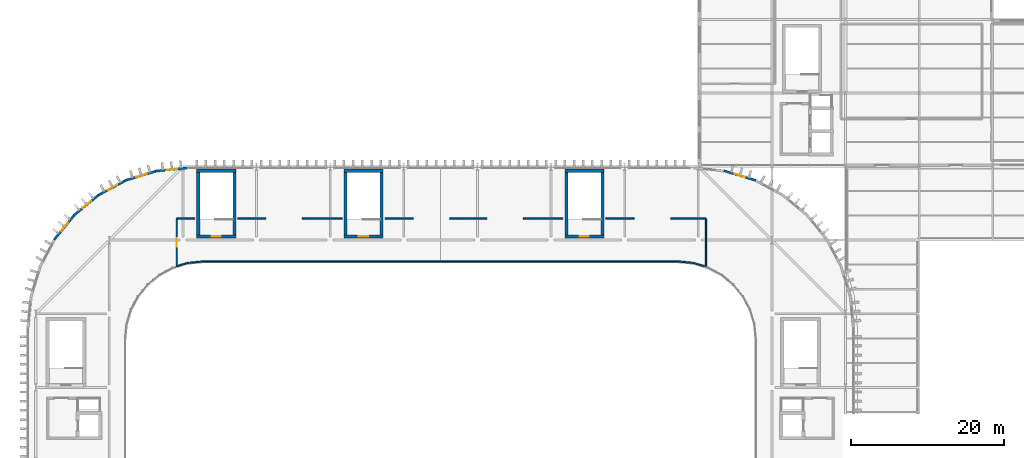
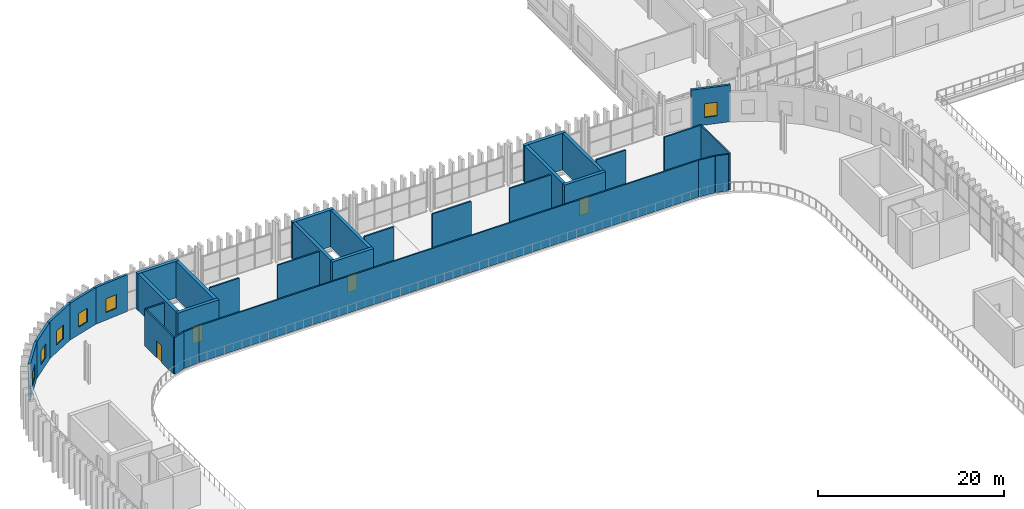
# One storey, part 34 of 45: 33 walls, 6 windows, 4 doors, 10 openings.
"""IFC4 building model written with IfcOpenShell, lengths in metres."""

from ifc_helpers import new_model, si_unit, direction, frame, frame_2d, origin, place, context, subcontext, project, spatial, rectangle, extrude, material, layer, layer_set, type_object, element, fill, save


model = new_model("IFC4")

# Units and contexts
model_context = context("Model", 3, precision=1e-05, world=origin(), true_north=direction((0.0, 1.0)))
body_context = subcontext(model_context, "Body", "Model", "MODEL_VIEW")
ifc_project = project(units=[si_unit("LENGTHUNIT", "METRE"), si_unit("AREAUNIT", "SQUARE_METRE"), si_unit("VOLUMEUNIT", "CUBIC_METRE"), si_unit("PLANEANGLEUNIT", "RADIAN"), si_unit("MASSUNIT", "GRAM", prefix="KILO")], contexts=[model_context])

# Site, building, storey
site_placement = place(None, origin())
site = spatial("IfcSite", under=ifc_project, at=site_placement, CompositionType="ELEMENT")
building_placement = place(site_placement, origin())
building = spatial("IfcBuilding", under=site, at=building_placement, Name="Caelomonte Colonnade Arena", CompositionType="ELEMENT")
storey_placement = place(building_placement, frame((0.0, 0.0, 23.10009765625)))
storey = spatial("IfcBuildingStorey", under=building, at=storey_placement, Name="L05", CompositionType="ELEMENT", Elevation=23.10009765625)

# Wall, opening, window
ifc_material_1 = material(Name="Precast concrete C40/50", Category="concrete")
ifc_layer_1 = layer(ifc_material_1, 0.2900390625)
ifc_layer_set_1 = layer_set([ifc_layer_1], Name="Precast concrete C40/50")
wall_type_1 = type_object("IfcWallType", Name="ENV-WL-EXT29", PredefinedType="SOLIDWALL", material=ifc_layer_set_1)
wall_1_placement = place(storey_placement, frame((151.4990234375, 113.394287109375, 0.0), z_axis=(0.0, 0.0, 1.0), x_axis=(-0.956928680947, 0.290323095156, 0.0)))
wall_1 = element("IfcWall", 1, at=wall_1_placement, inside=storey, type_object=wall_type_1, Name="L05 exterior wall EW-L05-0363", PredefinedType="SOLIDWALL", context=body_context, shape_type="SweptSolid", body=[
    extrude(rectangle(XDim=4.35693359375, YDim=0.2900390625, at=frame_2d((2.178466796875, 0.0))), origin(), (0.0, 0.0, 1.0), 4.81982421875),
])
opening_1_placement = place(wall_1_placement, frame((2.87841796875, 0.0, 1.0), z_axis=(0.0, 0.0, 1.0), x_axis=(-1.0, 0.0, 0.0)))
opening_1 = element("IfcOpeningElement", 2, at=opening_1_placement, cuts=wall_1, Name="Opening WN-09", PredefinedType="OPENING", context=body_context, shape_type="SweptSolid", body=[
    extrude(rectangle(XDim=1.39990234375, YDim=1.800048828125, at=frame_2d((0.699951171875, 0.89990234375))), frame((0.0, 0.155029296875, 0.0), z_axis=(0.0, -1.0, 0.0), x_axis=(1.0, 0.0, 0.0)), (0.0, 0.0, 1.0), 0.31005859375),
])
ifc_material_2 = material(Name="Solar-control bronze low-E double glazing", Category="glass")
window_type = type_object("IfcWindowType", Name="ENV-WN-V4F", PartitioningType="SINGLE_PANEL", PredefinedType="WINDOW", material=ifc_material_2)
window_1_placement = place(opening_1_placement, origin())
window_1 = element("IfcWindow", 3, at=window_1_placement, inside=storey, type_object=window_type, Name="L05 facade window 324", OverallHeight=1.800048828125, OverallWidth=1.39990234375, PartitioningType="SINGLE_PANEL", PredefinedType="WINDOW", context=body_context, shape_type="SweptSolid", body=[
    extrude(rectangle(XDim=1.39990234375, YDim=1.800048828125, at=frame_2d((0.699951171875, 0.89990234375))), frame((0.0, 0.030029296875, 0.0), z_axis=(0.0, -1.0, 0.0), x_axis=(1.0, 0.0, 0.0)), (0.0, 0.0, 1.0), 0.06005859375),
])
fill(opening_1, window_1)

wall_2_placement = place(storey_placement, frame((77.537109375, 115.03271484375, 0.0), z_axis=(0.0, 0.0, 1.0), x_axis=(-0.99518532156, -0.098011100141, 0.0)))
wall_2 = element("IfcWall", 4, at=wall_2_placement, inside=storey, type_object=wall_type_1, Name="L05 exterior wall EW-L05-0365", PredefinedType="SOLIDWALL", context=body_context, shape_type="SweptSolid", body=[
    extrude(rectangle(XDim=4.356689453125, YDim=0.2900390625, at=frame_2d((2.17822265625, 0.0))), origin(), (0.0, 0.0, 1.0), 4.81982421875),
])
opening_2_placement = place(wall_2_placement, frame((2.87841796875, 0.0, 1.0), z_axis=(0.0, 0.0, 1.0), x_axis=(-1.0, 0.0, 0.0)))
opening_2 = element("IfcOpeningElement", 5, at=opening_2_placement, cuts=wall_2, Name="Opening WN-09", PredefinedType="OPENING", context=body_context, shape_type="SweptSolid", body=[
    extrude(rectangle(XDim=1.39990234375, YDim=1.800048828125, at=frame_2d((0.699951171875, 0.89990234375))), frame((0.0, 0.155029296875, 0.0), z_axis=(0.0, -1.0, 0.0), x_axis=(1.0, 0.0, 0.0)), (0.0, 0.0, 1.0), 0.31005859375),
])
window_2_placement = place(opening_2_placement, origin())
window_2 = element("IfcWindow", 6, at=window_2_placement, inside=storey, type_object=window_type, Name="L05 facade window 326", OverallHeight=1.800048828125, OverallWidth=1.39990234375, PartitioningType="SINGLE_PANEL", PredefinedType="WINDOW", context=body_context, shape_type="SweptSolid", body=[
    extrude(rectangle(XDim=1.39990234375, YDim=1.800048828125, at=frame_2d((0.699951171875, 0.89990234375))), frame((0.0, 0.030029296875, 0.0), z_axis=(0.0, -1.0, 0.0), x_axis=(1.0, 0.0, 0.0)), (0.0, 0.0, 1.0), 0.06005859375),
])
fill(opening_2, window_2)

wall_3_placement = place(storey_placement, frame((73.47021484375, 114.6591796875, 0.0), z_axis=(0.0, 0.0, 1.0), x_axis=(-0.956928680947, -0.290323095156, 0.0)))
wall_3 = element("IfcWall", 7, at=wall_3_placement, inside=storey, type_object=wall_type_1, Name="L05 exterior wall EW-L05-0366", PredefinedType="SOLIDWALL", context=body_context, shape_type="SweptSolid", body=[
    extrude(rectangle(XDim=4.35693359375, YDim=0.2900390625, at=frame_2d((2.178466796875, 0.0))), origin(), (0.0, 0.0, 1.0), 4.81982421875),
])
opening_3_placement = place(wall_3_placement, frame((2.87841796875, 0.0, 1.0), z_axis=(0.0, 0.0, 1.0), x_axis=(-1.0, 0.0, 0.0)))
opening_3 = element("IfcOpeningElement", 8, at=opening_3_placement, cuts=wall_3, Name="Opening WN-09", PredefinedType="OPENING", context=body_context, shape_type="SweptSolid", body=[
    extrude(rectangle(XDim=1.39990234375, YDim=1.800048828125, at=frame_2d((0.699951171875, 0.89990234375))), frame((0.0, 0.155029296875, 0.0), z_axis=(0.0, -1.0, 0.0), x_axis=(1.0, 0.0, 0.0)), (0.0, 0.0, 1.0), 0.31005859375),
])
window_3_placement = place(opening_3_placement, origin())
window_3 = element("IfcWindow", 9, at=window_3_placement, inside=storey, type_object=window_type, Name="L05 facade window 327", OverallHeight=1.800048828125, OverallWidth=1.39990234375, PartitioningType="SINGLE_PANEL", PredefinedType="WINDOW", context=body_context, shape_type="SweptSolid", body=[
    extrude(rectangle(XDim=1.39990234375, YDim=1.800048828125, at=frame_2d((0.699951171875, 0.89990234375))), frame((0.0, 0.030029296875, 0.0), z_axis=(0.0, -1.0, 0.0), x_axis=(1.0, 0.0, 0.0)), (0.0, 0.0, 1.0), 0.06005859375),
])
fill(opening_3, window_3)

wall_4_placement = place(storey_placement, frame((69.55419921875, 113.499267578125, 0.0), z_axis=(0.0, 0.0, 1.0), x_axis=(-0.881924438709, -0.471390797968, 0.0)))
wall_4 = element("IfcWall", 10, at=wall_4_placement, inside=storey, type_object=wall_type_1, Name="L05 exterior wall EW-L05-0367", PredefinedType="SOLIDWALL", context=body_context, shape_type="SweptSolid", body=[
    extrude(rectangle(XDim=4.356689453125, YDim=0.2900390625, at=frame_2d((2.17822265625, 0.0))), origin(), (0.0, 0.0, 1.0), 4.81982421875),
])
opening_4_placement = place(wall_4_placement, frame((2.87841796875, 0.0, 1.0), z_axis=(0.0, 0.0, 1.0), x_axis=(-1.0, 0.0, 0.0)))
opening_4 = element("IfcOpeningElement", 11, at=opening_4_placement, cuts=wall_4, Name="Opening WN-09", PredefinedType="OPENING", context=body_context, shape_type="SweptSolid", body=[
    extrude(rectangle(XDim=1.39990234375, YDim=1.800048828125, at=frame_2d((0.699951171875, 0.89990234375))), frame((0.0, 0.155029296875, 0.0), z_axis=(0.0, -1.0, 0.0), x_axis=(1.0, 0.0, 0.0)), (0.0, 0.0, 1.0), 0.31005859375),
])
window_4_placement = place(opening_4_placement, origin())
window_4 = element("IfcWindow", 12, at=window_4_placement, inside=storey, type_object=window_type, Name="L05 facade window 328", OverallHeight=1.800048828125, OverallWidth=1.39990234375, PartitioningType="SINGLE_PANEL", PredefinedType="WINDOW", context=body_context, shape_type="SweptSolid", body=[
    extrude(rectangle(XDim=1.39990234375, YDim=1.800048828125, at=frame_2d((0.699951171875, 0.89990234375))), frame((0.0, 0.030029296875, 0.0), z_axis=(0.0, -1.0, 0.0), x_axis=(1.0, 0.0, 0.0)), (0.0, 0.0, 1.0), 0.06005859375),
])
fill(opening_4, window_4)

wall_5_placement = place(storey_placement, frame((65.93994140625, 111.597900390625, 0.0), z_axis=(0.0, 0.0, 1.0), x_axis=(-0.772995152907, -0.634411927364, 0.0)))
wall_5 = element("IfcWall", 13, at=wall_5_placement, inside=storey, type_object=wall_type_1, Name="L05 exterior wall EW-L05-0368", PredefinedType="SOLIDWALL", context=body_context, shape_type="SweptSolid", body=[
    extrude(rectangle(XDim=4.356689453125, YDim=0.2900390625, at=frame_2d((2.17822265625, 0.0))), origin(), (0.0, 0.0, 1.0), 4.81982421875),
])
opening_5_placement = place(wall_5_placement, frame((2.87841796875, 0.0, 1.0), z_axis=(0.0, 0.0, 1.0), x_axis=(-1.0, 0.0, 0.0)))
opening_5 = element("IfcOpeningElement", 14, at=opening_5_placement, cuts=wall_5, Name="Opening WN-09", PredefinedType="OPENING", context=body_context, shape_type="SweptSolid", body=[
    extrude(rectangle(XDim=1.39990234375, YDim=1.800048828125, at=frame_2d((0.699951171875, 0.89990234375))), frame((0.0, 0.155029296875, 0.0), z_axis=(0.0, -1.0, 0.0), x_axis=(1.0, 0.0, 0.0)), (0.0, 0.0, 1.0), 0.31005859375),
])
window_5_placement = place(opening_5_placement, origin())
window_5 = element("IfcWindow", 15, at=window_5_placement, inside=storey, type_object=window_type, Name="L05 facade window 329", OverallHeight=1.800048828125, OverallWidth=1.39990234375, PartitioningType="SINGLE_PANEL", PredefinedType="WINDOW", context=body_context, shape_type="SweptSolid", body=[
    extrude(rectangle(XDim=1.39990234375, YDim=1.800048828125, at=frame_2d((0.699951171875, 0.89990234375))), frame((0.0, 0.030029296875, 0.0), z_axis=(0.0, -1.0, 0.0), x_axis=(1.0, 0.0, 0.0)), (0.0, 0.0, 1.0), 0.06005859375),
])
fill(opening_5, window_5)

wall_6_placement = place(storey_placement, frame((62.76611328125, 109.02783203125, 0.0), z_axis=(0.0, 0.0, 1.0), x_axis=(-0.634384447019, -0.773017705735, 0.0)))
wall_6 = element("IfcWall", 16, at=wall_6_placement, inside=storey, type_object=wall_type_1, Name="L05 exterior wall EW-L05-0369", PredefinedType="SOLIDWALL", context=body_context, shape_type="SweptSolid", body=[
    extrude(rectangle(XDim=4.35693359375, YDim=0.2900390625, at=frame_2d((2.178466796875, 0.0))), origin(), (0.0, 0.0, 1.0), 4.81982421875),
])
opening_6_placement = place(wall_6_placement, frame((2.87841796875, 0.0, 1.0), z_axis=(0.0, 0.0, 1.0), x_axis=(-1.0, 0.0, 0.0)))
opening_6 = element("IfcOpeningElement", 17, at=opening_6_placement, cuts=wall_6, Name="Opening WN-09", PredefinedType="OPENING", context=body_context, shape_type="SweptSolid", body=[
    extrude(rectangle(XDim=1.39990234375, YDim=1.800048828125, at=frame_2d((0.699951171875, 0.89990234375))), frame((0.0, 0.155029296875, 0.0), z_axis=(0.0, -1.0, 0.0), x_axis=(1.0, 0.0, 0.0)), (0.0, 0.0, 1.0), 0.31005859375),
])
window_6_placement = place(opening_6_placement, origin())
window_6 = element("IfcWindow", 18, at=window_6_placement, inside=storey, type_object=window_type, Name="L05 facade window 330", OverallHeight=1.800048828125, OverallWidth=1.39990234375, PartitioningType="SINGLE_PANEL", PredefinedType="WINDOW", context=body_context, shape_type="SweptSolid", body=[
    extrude(rectangle(XDim=1.39990234375, YDim=1.800048828125, at=frame_2d((0.699951171875, 0.89990234375))), frame((0.0, 0.030029296875, 0.0), z_axis=(0.0, -1.0, 0.0), x_axis=(1.0, 0.0, 0.0)), (0.0, 0.0, 1.0), 0.06005859375),
])
fill(opening_6, window_6)

# Walls
ifc_material_3 = material(Name="Acoustic gypsum stud partition")
ifc_layer_2 = layer(ifc_material_3, 0.179931640625)
ifc_layer_set_2 = layer_set([ifc_layer_2], Name="Acoustic gypsum stud partition")
wall_type_2 = type_object("IfcWallType", Name="INT-WL-PT18", PredefinedType="PARTITIONING", material=ifc_layer_set_2)
wall_7_placement = place(storey_placement, frame((143.37255859375, 102.626708984375, 0.0), z_axis=(0.0, 0.0, 1.0), x_axis=(-0.995185270943, 0.098011614095, 0.0)))
element("IfcWall", 19, at=wall_7_placement, inside=storey, type_object=wall_type_2, Name="L05 Press Tribune Gallery partition 270", PredefinedType="PARTITIONING", context=body_context, shape_type="SweptSolid", body=[
    extrude(rectangle(XDim=1.96044921875, YDim=0.179931640625, at=frame_2d((0.980224609375, 0.0))), origin(), (0.0, 0.0, 1.0), 4.81982421875),
])
wall_8_placement = place(storey_placement, frame((141.39990234375, 102.820068359375, 0.0), z_axis=(0.0, 0.0, 1.0), x_axis=(-1.0, 0.0, 0.0)))
element("IfcWall", 20, at=wall_8_placement, inside=storey, type_object=wall_type_2, Name="L05 Press Tribune Gallery partition 271", PredefinedType="PARTITIONING", context=body_context, shape_type="SweptSolid", body=[
    extrude(rectangle(XDim=62.0, YDim=0.179931640625, at=frame_2d((31.0, 0.0))), origin(), (0.0, 0.0, 1.0), 4.81982421875),
])
wall_9_placement = place(storey_placement, frame((79.37841796875, 102.81884765625, 0.0), z_axis=(0.0, 0.0, 1.0), x_axis=(-0.995185270943, -0.098011614095, 0.0)))
element("IfcWall", 21, at=wall_9_placement, inside=storey, type_object=wall_type_2, Name="L05 Press Tribune Gallery partition 272", PredefinedType="PARTITIONING", context=body_context, shape_type="SweptSolid", body=[
    extrude(rectangle(XDim=1.96044921875, YDim=0.179931640625, at=frame_2d((0.980224609375, 0.0))), origin(), (0.0, 0.0, 1.0), 4.81982421875),
])
wall_10_placement = place(storey_placement, frame((77.38525390625, 102.618408203125, 0.0), z_axis=(0.0, 0.0, 1.0), x_axis=(-0.956921766266, -0.290345885534, 0.0)))
element("IfcWall", 22, at=wall_10_placement, inside=storey, type_object=wall_type_2, Name="L05 Press Tribune Gallery partition 273", PredefinedType="PARTITIONING", context=body_context, shape_type="SweptSolid", body=[
    extrude(rectangle(XDim=1.441162109375, YDim=0.179931640625, at=frame_2d((0.720703125, 0.0))), origin(), (0.0, 0.0, 1.0), 4.81982421875),
])

# Wall, opening, door
wall_11_placement = place(storey_placement, frame((76.0, 102.199951171875, 0.0), z_axis=(0.0, 0.0, 1.0), x_axis=(0.0, 1.0, 0.0)))
wall_11 = element("IfcWall", 23, at=wall_11_placement, inside=storey, type_object=wall_type_2, Name="L05 Press Tribune Gallery partition 274", PredefinedType="PARTITIONING", context=body_context, shape_type="SweptSolid", body=[
    extrude(rectangle(XDim=6.199951171875, YDim=0.179931640625, at=frame_2d((3.10009765625, 0.0))), origin(), (0.0, 0.0, 1.0), 4.81982421875),
])
opening_7_placement = place(wall_11_placement, frame((2.56005859375, 0.0, 0.0), z_axis=(0.0, 0.0, 1.0), x_axis=(1.0, 0.0, 0.0)))
opening_7 = element("IfcOpeningElement", 24, at=opening_7_placement, cuts=wall_11, Name="Opening D-L05-072", PredefinedType="OPENING", context=body_context, shape_type="SweptSolid", body=[
    extrude(rectangle(XDim=1.080078125, YDim=2.219970703125, at=frame_2d((0.5400390625, 1.10986328125))), frame((0.0, 0.099853515625, 0.0), z_axis=(0.0, -1.0, 0.0), x_axis=(1.0, 0.0, 0.0)), (0.0, 0.0, 1.0), 0.199951171875),
])
ifc_material_4 = material(Name="Acoustic broadcast studio door")
door_type_1 = type_object("IfcDoorType", Name="INT-DR-MED", OperationType="NOTDEFINED", PredefinedType="DOOR", material=ifc_material_4)
door_1_placement = place(opening_7_placement, origin())
door_1 = element("IfcDoor", 25, at=door_1_placement, inside=storey, type_object=door_type_1, Name="L05 Press Tribune Gallery door D-L05-072", OperationType="SINGLE_SWING_RIGHT", OverallHeight=2.219970703125, OverallWidth=1.080078125, PredefinedType="DOOR", context=body_context, shape_type="SweptSolid", body=[
    extrude(rectangle(XDim=1.080078125, YDim=2.219970703125, at=frame_2d((0.5400390625, 1.10986328125))), frame((0.0, 0.02490234375, 0.0), z_axis=(0.0, -1.0, 0.0), x_axis=(1.0, 0.0, 0.0)), (0.0, 0.0, 1.0), 0.050048828125),
])
fill(opening_7, door_1)

# Walls
wall_12_placement = place(storey_placement, frame((76.0, 108.39990234375, 0.0), z_axis=(0.0, 0.0, 1.0), x_axis=(1.0, 0.0, 0.0)))
element("IfcWall", 26, at=wall_12_placement, inside=storey, type_object=wall_type_2, Name="L05 Press Tribune Gallery partition 275", PredefinedType="PARTITIONING", context=body_context, shape_type="SweptSolid", body=[
    extrude(rectangle(XDim=2.35009765625, YDim=0.179931640625, at=frame_2d((1.175048828125, 0.0))), origin(), (0.0, 0.0, 1.0), 4.81982421875),
])
wall_13_placement = place(storey_placement, frame((83.949951171875, 108.39990234375, 0.0), z_axis=(0.0, 0.0, 1.0), x_axis=(1.0, 0.0, 0.0)))
element("IfcWall", 27, at=wall_13_placement, inside=storey, type_object=wall_type_2, Name="L05 Press Tribune Gallery partition 276", PredefinedType="PARTITIONING", context=body_context, shape_type="SweptSolid", body=[
    extrude(rectangle(XDim=3.670166015625, YDim=0.179931640625, at=frame_2d((1.8349609375, 0.0))), origin(), (0.0, 0.0, 1.0), 4.81982421875),
])
wall_14_placement = place(storey_placement, frame((92.3798828125, 108.39990234375, 0.0), z_axis=(0.0, 0.0, 1.0), x_axis=(1.0, 0.0, 0.0)))
element("IfcWall", 28, at=wall_14_placement, inside=storey, type_object=wall_type_2, Name="L05 Press Tribune Gallery partition 277", PredefinedType="PARTITIONING", context=body_context, shape_type="SweptSolid", body=[
    extrude(rectangle(XDim=5.170166015625, YDim=0.179931640625, at=frame_2d((2.5849609375, 0.0))), origin(), (0.0, 0.0, 1.0), 4.81982421875),
])
wall_15_placement = place(storey_placement, frame((103.14990234375, 108.39990234375, 0.0), z_axis=(0.0, 0.0, 1.0), x_axis=(1.0, 0.0, 0.0)))
element("IfcWall", 29, at=wall_15_placement, inside=storey, type_object=wall_type_2, Name="L05 Press Tribune Gallery partition 278", PredefinedType="PARTITIONING", context=body_context, shape_type="SweptSolid", body=[
    extrude(rectangle(XDim=3.670166015625, YDim=0.179931640625, at=frame_2d((1.8349609375, 0.0))), origin(), (0.0, 0.0, 1.0), 4.81982421875),
])
wall_16_placement = place(storey_placement, frame((111.580078125, 108.39990234375, 0.0), z_axis=(0.0, 0.0, 1.0), x_axis=(1.0, 0.0, 0.0)))
element("IfcWall", 30, at=wall_16_placement, inside=storey, type_object=wall_type_2, Name="L05 Press Tribune Gallery partition 279", PredefinedType="PARTITIONING", context=body_context, shape_type="SweptSolid", body=[
    extrude(rectangle(XDim=4.83984375, YDim=0.179931640625, at=frame_2d((2.419921875, 0.0))), origin(), (0.0, 0.0, 1.0), 4.81982421875),
])
wall_17_placement = place(storey_placement, frame((121.179931640625, 108.39990234375, 0.0), z_axis=(0.0, 0.0, 1.0), x_axis=(1.0, 0.0, 0.0)))
element("IfcWall", 31, at=wall_17_placement, inside=storey, type_object=wall_type_2, Name="L05 Press Tribune Gallery partition 280", PredefinedType="PARTITIONING", context=body_context, shape_type="SweptSolid", body=[
    extrude(rectangle(XDim=5.170166015625, YDim=0.179931640625, at=frame_2d((2.5849609375, 0.0))), origin(), (0.0, 0.0, 1.0), 4.81982421875),
])
wall_18_placement = place(storey_placement, frame((131.949951171875, 108.39990234375, 0.0), z_axis=(0.0, 0.0, 1.0), x_axis=(1.0, 0.0, 0.0)))
element("IfcWall", 32, at=wall_18_placement, inside=storey, type_object=wall_type_2, Name="L05 Press Tribune Gallery partition 281", PredefinedType="PARTITIONING", context=body_context, shape_type="SweptSolid", body=[
    extrude(rectangle(XDim=3.670166015625, YDim=0.179931640625, at=frame_2d((1.8349609375, 0.0))), origin(), (0.0, 0.0, 1.0), 4.81982421875),
])
wall_19_placement = place(storey_placement, frame((140.3798828125, 108.39990234375, 0.0), z_axis=(0.0, 0.0, 1.0), x_axis=(1.0, 0.0, 0.0)))
element("IfcWall", 33, at=wall_19_placement, inside=storey, type_object=wall_type_2, Name="L05 Press Tribune Gallery partition 282", PredefinedType="PARTITIONING", context=body_context, shape_type="SweptSolid", body=[
    extrude(rectangle(XDim=4.6201171875, YDim=0.179931640625, at=frame_2d((2.31005859375, 0.0))), origin(), (0.0, 0.0, 1.0), 4.81982421875),
])
wall_20_placement = place(storey_placement, frame((145.0, 108.39990234375, 0.0), z_axis=(0.0, 0.0, 1.0), x_axis=(0.0, -1.0, 0.0)))
element("IfcWall", 34, at=wall_20_placement, inside=storey, type_object=wall_type_2, Name="L05 Press Tribune Gallery partition 283", PredefinedType="PARTITIONING", context=body_context, shape_type="SweptSolid", body=[
    extrude(rectangle(XDim=6.199951171875, YDim=0.179931640625, at=frame_2d((3.10009765625, 0.0))), origin(), (0.0, 0.0, 1.0), 4.81982421875),
])
wall_21_placement = place(storey_placement, frame((144.7939453125, 102.199951171875, 0.0), z_axis=(0.0, 0.0, 1.0), x_axis=(-0.956921766266, 0.290345885534, 0.0)))
element("IfcWall", 35, at=wall_21_placement, inside=storey, type_object=wall_type_2, Name="L05 Press Tribune Gallery partition 284", PredefinedType="PARTITIONING", context=body_context, shape_type="SweptSolid", body=[
    extrude(rectangle(XDim=1.441162109375, YDim=0.179931640625, at=frame_2d((0.720703125, 0.0))), origin(), (0.0, 0.0, 1.0), 4.81982421875),
])

# Wall, opening, door
ifc_material_5 = material(Name="Concrete C50/60", Category="concrete")
ifc_layer_3 = layer(ifc_material_5, 0.39990234375)
ifc_layer_set_3 = layer_set([ifc_layer_3], Name="Concrete C50/60")
wall_type_3 = type_object("IfcWallType", Name="INT-WL-SH40", PredefinedType="SHEAR", material=ifc_layer_set_3)
wall_22_placement = place(storey_placement, frame((78.60009765625, 106.10009765625, 0.0), z_axis=(0.0, 0.0, 1.0), x_axis=(1.0, 0.0, 0.0)))
wall_22 = element("IfcWall", 36, at=wall_22_placement, inside=storey, type_object=wall_type_3, Name="CW-ST-14 L05 south enclosure wall", PredefinedType="SHEAR", context=body_context, shape_type="SweptSolid", body=[
    extrude(rectangle(XDim=5.099853515625, YDim=0.39990234375, at=frame_2d((2.5498046875, 0.0))), origin(), (0.0, 0.0, 1.0), 4.81982421875),
])
opening_8_placement = place(wall_22_placement, frame((3.14990234375, 0.0, 0.0), z_axis=(0.0, 0.0, 1.0), x_axis=(-1.0, 0.0, 0.0)))
opening_8 = element("IfcOpeningElement", 37, at=opening_8_placement, cuts=wall_22, Name="Opening FD-1", PredefinedType="OPENING", context=body_context, shape_type="SweptSolid", body=[
    extrude(rectangle(XDim=1.199951171875, YDim=2.199951171875, at=frame_2d((0.60009765625, 1.10009765625))), frame((0.0, 0.2099609375, 0.0), z_axis=(0.0, -1.0, 0.0), x_axis=(1.0, 0.0, 0.0)), (0.0, 0.0, 1.0), 0.419921875),
])
ifc_material_6 = material(Name="Fire-rated steel door", Category="steel")
door_type_2 = type_object("IfcDoorType", Name="INT-DR-FD90A", OperationType="NOTDEFINED", PredefinedType="DOOR", material=ifc_material_6)
door_2_placement = place(opening_8_placement, origin())
door_2 = element("IfcDoor", 38, at=door_2_placement, inside=storey, type_object=door_type_2, Name="Protected exit stair ST-14 L05 fire door", OperationType="SINGLE_SWING_LEFT", OverallHeight=2.199951171875, OverallWidth=1.199951171875, PredefinedType="DOOR", context=body_context, shape_type="SweptSolid", body=[
    extrude(rectangle(XDim=1.199951171875, YDim=2.199951171875, at=frame_2d((0.60009765625, 1.10009765625))), frame((0.0, 0.02490234375, 0.0), z_axis=(0.0, -1.0, 0.0), x_axis=(1.0, 0.0, 0.0)), (0.0, 0.0, 1.0), 0.050048828125),
])
fill(opening_8, door_2)

# Walls
wall_23_placement = place(storey_placement, frame((83.699951171875, 114.64990234375, 0.0), z_axis=(0.0, 0.0, 1.0), x_axis=(-1.0, 0.0, 0.0)))
element("IfcWall", 39, at=wall_23_placement, inside=storey, type_object=wall_type_3, Name="CW-ST-14 L05 north enclosure wall", PredefinedType="SHEAR", context=body_context, shape_type="SweptSolid", body=[
    extrude(rectangle(XDim=5.099853515625, YDim=0.39990234375, at=frame_2d((2.5498046875, 0.0))), origin(), (0.0, 0.0, 1.0), 4.81982421875),
])
for number, where, z_axis, x_axis, name in (
    (40, (78.800048828125, 114.449951171875, 0.0), (0.0, 0.0, 1.0), (0.0, -1.0, 0.0), "CW-ST-14 L05 west enclosure wall"),
    (41, (83.5, 106.300048828125, 0.0), (0.0, 0.0, 1.0), (0.0, 1.0, 0.0), "CW-ST-14 L05 east enclosure wall"),
):
    element("IfcWall", number, at=place(storey_placement, frame(where, z_axis=z_axis, x_axis=x_axis)), inside=storey, type_object=wall_type_3, Name=name, PredefinedType="SHEAR", context=body_context, shape_type="SweptSolid", body=[
        extrude(rectangle(XDim=8.14990234375, YDim=0.39990234375, at=frame_2d((4.074951171875, 0.0))), origin(), (0.0, 0.0, 1.0), 4.81982421875),
    ])

# Wall, opening, door
wall_24_placement = place(storey_placement, frame((97.800048828125, 106.10009765625, 0.0), z_axis=(0.0, 0.0, 1.0), x_axis=(1.0, 0.0, 0.0)))
wall_24 = element("IfcWall", 42, at=wall_24_placement, inside=storey, type_object=wall_type_3, Name="CW-ST-15 L05 south enclosure wall", PredefinedType="SHEAR", context=body_context, shape_type="SweptSolid", body=[
    extrude(rectangle(XDim=5.099853515625, YDim=0.39990234375, at=frame_2d((2.5498046875, 0.0))), origin(), (0.0, 0.0, 1.0), 4.81982421875),
])
opening_9_placement = place(wall_24_placement, frame((3.14990234375, 0.0, 0.0), z_axis=(0.0, 0.0, 1.0), x_axis=(-1.0, 0.0, 0.0)))
opening_9 = element("IfcOpeningElement", 43, at=opening_9_placement, cuts=wall_24, Name="Opening FD-1", PredefinedType="OPENING", context=body_context, shape_type="SweptSolid", body=[
    extrude(rectangle(XDim=1.199951171875, YDim=2.199951171875, at=frame_2d((0.60009765625, 1.10009765625))), frame((0.0, 0.2099609375, 0.0), z_axis=(0.0, -1.0, 0.0), x_axis=(1.0, 0.0, 0.0)), (0.0, 0.0, 1.0), 0.419921875),
])
door_3_placement = place(opening_9_placement, origin())
door_3 = element("IfcDoor", 44, at=door_3_placement, inside=storey, type_object=door_type_2, Name="Protected exit stair ST-15 L05 fire door", OperationType="SINGLE_SWING_RIGHT", OverallHeight=2.199951171875, OverallWidth=1.199951171875, PredefinedType="DOOR", context=body_context, shape_type="SweptSolid", body=[
    extrude(rectangle(XDim=1.199951171875, YDim=2.199951171875, at=frame_2d((0.60009765625, 1.10009765625))), frame((0.0, 0.02490234375, 0.0), z_axis=(0.0, -1.0, 0.0), x_axis=(1.0, 0.0, 0.0)), (0.0, 0.0, 1.0), 0.050048828125),
])
fill(opening_9, door_3)

# Walls
wall_25_placement = place(storey_placement, frame((102.89990234375, 114.64990234375, 0.0), z_axis=(0.0, 0.0, 1.0), x_axis=(-1.0, 0.0, 0.0)))
element("IfcWall", 45, at=wall_25_placement, inside=storey, type_object=wall_type_3, Name="CW-ST-15 L05 north enclosure wall", PredefinedType="SHEAR", context=body_context, shape_type="SweptSolid", body=[
    extrude(rectangle(XDim=5.099853515625, YDim=0.39990234375, at=frame_2d((2.5498046875, 0.0))), origin(), (0.0, 0.0, 1.0), 4.81982421875),
])
for number, where, z_axis, x_axis, name in (
    (46, (98.0, 114.449951171875, 0.0), (0.0, 0.0, 1.0), (0.0, -1.0, 0.0), "CW-ST-15 L05 west enclosure wall"),
    (47, (102.699951171875, 106.300048828125, 0.0), (0.0, 0.0, 1.0), (0.0, 1.0, 0.0), "CW-ST-15 L05 east enclosure wall"),
):
    element("IfcWall", number, at=place(storey_placement, frame(where, z_axis=z_axis, x_axis=x_axis)), inside=storey, type_object=wall_type_3, Name=name, PredefinedType="SHEAR", context=body_context, shape_type="SweptSolid", body=[
        extrude(rectangle(XDim=8.14990234375, YDim=0.39990234375, at=frame_2d((4.074951171875, 0.0))), origin(), (0.0, 0.0, 1.0), 4.81982421875),
    ])

# Wall, opening, door
wall_26_placement = place(storey_placement, frame((126.60009765625, 106.10009765625, 0.0), z_axis=(0.0, 0.0, 1.0), x_axis=(1.0, 0.0, 0.0)))
wall_26 = element("IfcWall", 48, at=wall_26_placement, inside=storey, type_object=wall_type_3, Name="CW-ST-16 L05 south enclosure wall", PredefinedType="SHEAR", context=body_context, shape_type="SweptSolid", body=[
    extrude(rectangle(XDim=5.099853515625, YDim=0.39990234375, at=frame_2d((2.5498046875, 0.0))), origin(), (0.0, 0.0, 1.0), 4.81982421875),
])
opening_10_placement = place(wall_26_placement, frame((3.14990234375, 0.0, 0.0), z_axis=(0.0, 0.0, 1.0), x_axis=(-1.0, 0.0, 0.0)))
opening_10 = element("IfcOpeningElement", 49, at=opening_10_placement, cuts=wall_26, Name="Opening FD-1", PredefinedType="OPENING", context=body_context, shape_type="SweptSolid", body=[
    extrude(rectangle(XDim=1.199951171875, YDim=2.199951171875, at=frame_2d((0.60009765625, 1.10009765625))), frame((0.0, 0.2099609375, 0.0), z_axis=(0.0, -1.0, 0.0), x_axis=(1.0, 0.0, 0.0)), (0.0, 0.0, 1.0), 0.419921875),
])
door_4_placement = place(opening_10_placement, origin())
door_4 = element("IfcDoor", 50, at=door_4_placement, inside=storey, type_object=door_type_2, Name="Protected exit stair ST-16 L05 fire door", OperationType="SINGLE_SWING_LEFT", OverallHeight=2.199951171875, OverallWidth=1.199951171875, PredefinedType="DOOR", context=body_context, shape_type="SweptSolid", body=[
    extrude(rectangle(XDim=1.199951171875, YDim=2.199951171875, at=frame_2d((0.60009765625, 1.10009765625))), frame((0.0, 0.02490234375, 0.0), z_axis=(0.0, -1.0, 0.0), x_axis=(1.0, 0.0, 0.0)), (0.0, 0.0, 1.0), 0.050048828125),
])
fill(opening_10, door_4)

# Walls
wall_27_placement = place(storey_placement, frame((131.699951171875, 114.64990234375, 0.0), z_axis=(0.0, 0.0, 1.0), x_axis=(-1.0, 0.0, 0.0)))
element("IfcWall", 51, at=wall_27_placement, inside=storey, type_object=wall_type_3, Name="CW-ST-16 L05 north enclosure wall", PredefinedType="SHEAR", context=body_context, shape_type="SweptSolid", body=[
    extrude(rectangle(XDim=5.099853515625, YDim=0.39990234375, at=frame_2d((2.5498046875, 0.0))), origin(), (0.0, 0.0, 1.0), 4.81982421875),
])
for number, where, z_axis, x_axis, name in (
    (52, (126.800048828125, 114.449951171875, 0.0), (0.0, 0.0, 1.0), (0.0, -1.0, 0.0), "CW-ST-16 L05 west enclosure wall"),
    (53, (131.5, 106.300048828125, 0.0), (0.0, 0.0, 1.0), (0.0, 1.0, 0.0), "CW-ST-16 L05 east enclosure wall"),
):
    element("IfcWall", number, at=place(storey_placement, frame(where, z_axis=z_axis, x_axis=x_axis)), inside=storey, type_object=wall_type_3, Name=name, PredefinedType="SHEAR", context=body_context, shape_type="SweptSolid", body=[
        extrude(rectangle(XDim=8.14990234375, YDim=0.39990234375, at=frame_2d((4.074951171875, 0.0))), origin(), (0.0, 0.0, 1.0), 4.81982421875),
    ])

save(model, "model.ifc")
